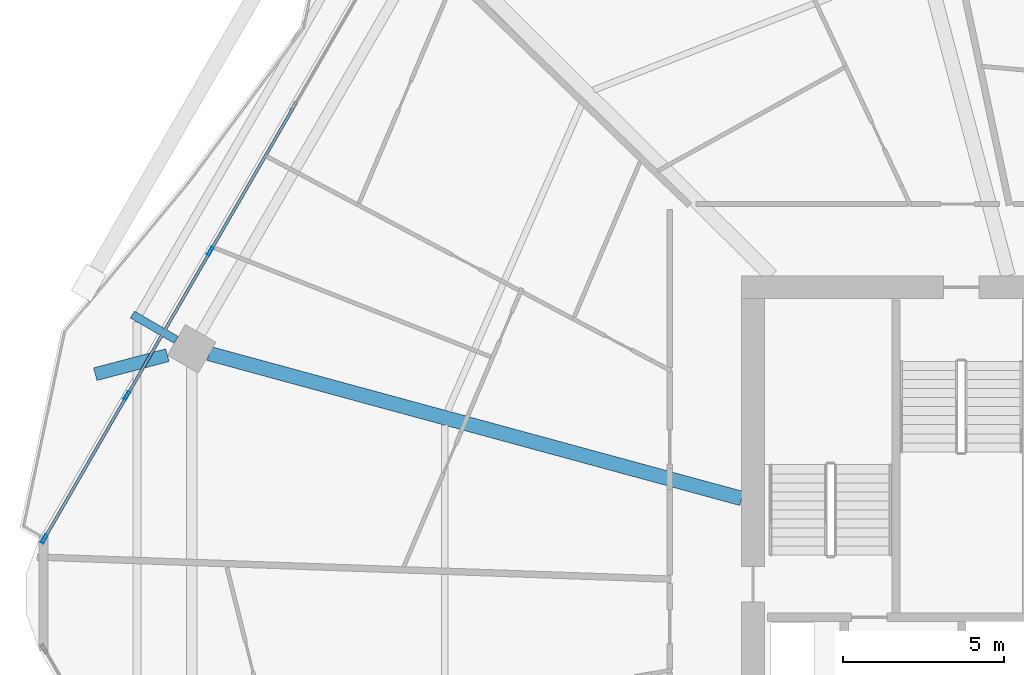
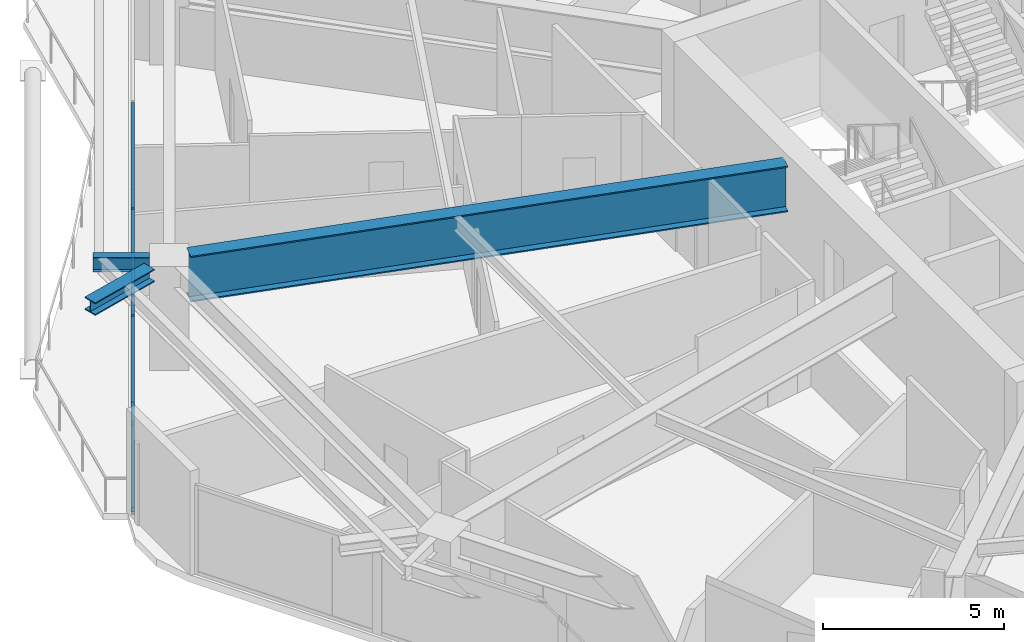
# One storey, part 14 of 33: 9 members, 3 beams, 1 element without a shape of its own.
"""IFC4 building model written with IfcOpenShell, lengths in metres."""

from ifc_helpers import new_model, si_unit, direction, frame, origin, origin_2d, place, context, subcontext, project, spatial, hollow_rectangle, i_section, extrude, material, material_profile, profile_set, type_object, element, aggregate, save


model = new_model("IFC4")

# Units and contexts
model_context = context("Model", 3, precision=1e-05, world=origin(), true_north=direction((0.0, 1.0)))
body_context = subcontext(model_context, "Body", "Model", "MODEL_VIEW")
ifc_project = project(units=[si_unit("LENGTHUNIT", "METRE"), si_unit("AREAUNIT", "SQUARE_METRE"), si_unit("VOLUMEUNIT", "CUBIC_METRE"), si_unit("PLANEANGLEUNIT", "RADIAN"), si_unit("MASSUNIT", "GRAM", prefix="KILO")], contexts=[model_context])

# Site, building, storey
site_placement = place(None, origin())
site = spatial("IfcSite", under=ifc_project, at=site_placement, CompositionType="ELEMENT")
building_placement = place(site_placement, origin())
building = spatial("IfcBuilding", under=site, at=building_placement, Name="Zuhravey Tower", CompositionType="ELEMENT")
storey_placement = place(building_placement, frame((0.0, 0.0, 141.800048828125)))
storey = spatial("IfcBuildingStorey", under=building, at=storey_placement, Name="L35", CompositionType="ELEMENT", Elevation=141.800048828125)

# Curtain wall, members
ifc_material_1 = material(Name="Thermally broken anodised aluminium", Category="aluminium")
curtain_wall_type = type_object("IfcCurtainWallType", Name="Zone 1-2 Residential Curtain Wall CW3", PredefinedType="NOTDEFINED", material=ifc_material_1)
curtain_wall_placement = place(storey_placement, origin())
curtain_wall = element("IfcCurtainWall", 1, at=curtain_wall_placement, inside=storey, type_object=curtain_wall_type, Name="L35 CW3 CW-L35-F3-1", PredefinedType="NOTDEFINED")
ifc_material_2 = material(Name="Anodised aluminium", Category="aluminium")
ifc_material_profile_1 = material_profile(ifc_material_2, hollow_rectangle(XDim=0.090087890625, YDim=0.284912109375, WallThickness=0.0048828125, at=origin_2d()), Name="ALU-RHS-90x285x5")
ifc_profile_set_1 = profile_set([ifc_material_profile_1], Name="Anodised aluminium")
member_type_1 = type_object("IfcMemberType", Name="Curtain-Wall Mullion 90x180", PredefinedType="MULLION", material=ifc_profile_set_1)
member_1_placement = place(storey_placement, frame((3.5439453125, 33.701416015625, 0.0), z_axis=(0.0, 0.0, 1.0), x_axis=(-0.866025507745, 0.499999819935, 0.0)))
member_1 = element("IfcMember", 2, at=member_1_placement, type_object=member_type_1, Name="CW3 mullion 1", PredefinedType="MULLION", context=body_context, shape_type="SweptSolid", body=[
    extrude(hollow_rectangle(XDim=0.090087890625, YDim=0.284912109375, WallThickness=0.0048828125, at=origin_2d()), origin(), (0.0, 0.0, 1.0), 3.02001953125),
])
member_2_placement = place(storey_placement, frame((6.10546875, 38.13818359375, 0.0), z_axis=(0.0, 0.0, 1.0), x_axis=(-0.866025507745, 0.499999819935, 0.0)))
member_2 = element("IfcMember", 3, at=member_2_placement, type_object=member_type_1, Name="CW3 mullion 2", PredefinedType="MULLION", context=body_context, shape_type="SweptSolid", body=[
    extrude(hollow_rectangle(XDim=0.090087890625, YDim=0.284912109375, WallThickness=0.0048828125, at=origin_2d()), origin(), (0.0, 0.0, 1.0), 3.02001953125),
])
member_3_placement = place(storey_placement, frame((8.689697265625, 42.614013671875, 0.0), z_axis=(0.0, 0.0, 1.0), x_axis=(-0.866025507745, 0.499999819935, 0.0)))
member_3 = element("IfcMember", 4, at=member_3_placement, type_object=member_type_1, Name="CW3 mullion 3", PredefinedType="MULLION", context=body_context, shape_type="SweptSolid", body=[
    extrude(hollow_rectangle(XDim=0.090087890625, YDim=0.284912109375, WallThickness=0.0048828125, at=origin_2d()), origin(), (0.0, 0.0, 1.0), 3.02001953125),
])
ifc_material_profile_2 = material_profile(ifc_material_2, hollow_rectangle(XDim=0.090087890625, YDim=0.14990234375, WallThickness=0.0048828125, at=origin_2d()), Name="ALU-RHS-90x150x5")
ifc_profile_set_2 = profile_set([ifc_material_profile_2], Name="Anodised aluminium")
member_type_2 = type_object("IfcMemberType", Name="Curtain-Wall Transom 90x150", PredefinedType="USERDEFINED", material=ifc_profile_set_2)
member_4_placement = place(storey_placement, frame((3.56640625, 33.740478515625, 0.044921875), z_axis=(0.499999574138, 0.866025649656, 0.0), x_axis=(-0.866025649656, 0.499999574138, 0.0)))
member_4 = element("IfcMember", 5, at=member_4_placement, type_object=member_type_2, Name="CW3 transom 1.1", ObjectType="TRANSOM", PredefinedType="USERDEFINED", context=body_context, shape_type="SweptSolid", body=[
    extrude(hollow_rectangle(XDim=0.090087890625, YDim=0.14990234375, WallThickness=0.0048828125, at=origin_2d()), origin(), (0.0, 0.0, 1.0), 5.033203125),
])
member_5_placement = place(storey_placement, frame((3.56640625, 33.740478515625, 2.974853515625), z_axis=(0.499999574138, 0.866025649656, 0.0), x_axis=(-0.866025649656, 0.499999574138, 0.0)))
member_5 = element("IfcMember", 6, at=member_5_placement, type_object=member_type_2, Name="CW3 transom 1.2", ObjectType="TRANSOM", PredefinedType="USERDEFINED", context=body_context, shape_type="SweptSolid", body=[
    extrude(hollow_rectangle(XDim=0.090087890625, YDim=0.14990234375, WallThickness=0.0048828125, at=origin_2d()), origin(), (0.0, 0.0, 1.0), 5.033203125),
])
member_6_placement = place(storey_placement, frame((6.128173828125, 38.17724609375, 0.044921875), z_axis=(0.500006836656, 0.866021456604, 0.0), x_axis=(-0.866021456604, 0.500006836656, 0.0)))
member_6 = element("IfcMember", 7, at=member_6_placement, type_object=member_type_2, Name="CW3 transom 2.1", ObjectType="TRANSOM", PredefinedType="USERDEFINED", context=body_context, shape_type="SweptSolid", body=[
    extrude(hollow_rectangle(XDim=0.090087890625, YDim=0.14990234375, WallThickness=0.0048828125, at=origin_2d()), origin(), (0.0, 0.0, 1.0), 5.078125),
])
member_7_placement = place(storey_placement, frame((6.128173828125, 38.17724609375, 2.974853515625), z_axis=(0.500006836656, 0.866021456604, 0.0), x_axis=(-0.866021456604, 0.500006836656, 0.0)))
member_7 = element("IfcMember", 8, at=member_7_placement, type_object=member_type_2, Name="CW3 transom 2.2", ObjectType="TRANSOM", PredefinedType="USERDEFINED", context=body_context, shape_type="SweptSolid", body=[
    extrude(hollow_rectangle(XDim=0.090087890625, YDim=0.14990234375, WallThickness=0.0048828125, at=origin_2d()), origin(), (0.0, 0.0, 1.0), 5.078125),
])
member_8_placement = place(storey_placement, frame((8.712158203125, 42.653076171875, 0.044921875), z_axis=(0.500006836656, 0.866021456604, 0.0), x_axis=(-0.866021456604, 0.500006836656, 0.0)))
member_8 = element("IfcMember", 9, at=member_8_placement, type_object=member_type_2, Name="CW3 transom 3.1", ObjectType="TRANSOM", PredefinedType="USERDEFINED", context=body_context, shape_type="SweptSolid", body=[
    extrude(hollow_rectangle(XDim=0.090087890625, YDim=0.14990234375, WallThickness=0.0048828125, at=origin_2d()), origin(), (0.0, 0.0, 1.0), 5.078125),
])
member_9_placement = place(storey_placement, frame((8.712158203125, 42.653076171875, 2.974853515625), z_axis=(0.500006836656, 0.866021456604, 0.0), x_axis=(-0.866021456604, 0.500006836656, 0.0)))
member_9 = element("IfcMember", 10, at=member_9_placement, type_object=member_type_2, Name="CW3 transom 3.2", ObjectType="TRANSOM", PredefinedType="USERDEFINED", context=body_context, shape_type="SweptSolid", body=[
    extrude(hollow_rectangle(XDim=0.090087890625, YDim=0.14990234375, WallThickness=0.0048828125, at=origin_2d()), origin(), (0.0, 0.0, 1.0), 5.078125),
])
aggregate(curtain_wall, [member_1, member_2, member_3, member_4, member_5, member_6, member_7, member_8, member_9])

# Beams
ifc_material_3 = material(Name="Steel SM460", Category="steel")
ifc_material_profile_3 = material_profile(ifc_material_3, i_section(OverallWidth=0.406982421875, OverallDepth=0.427978515625, WebThickness=0.02001953125, FlangeThickness=0.034912109375, at=origin_2d()), Name="H-428x407x20x35")
ifc_profile_set_3 = profile_set([ifc_material_profile_3], Name="Steel SM460")
beam_type_1 = type_object("IfcBeamType", Name="Exoskeleton Node Tie Beam H428x407", PredefinedType="BEAM", material=ifc_profile_set_3)
beam_1_placement = place(storey_placement, frame((7.358154296875, 39.3935546875, 3.305908203125), z_axis=(-0.967059479468, -0.254550512023, 0.0), x_axis=(0.254550512023, -0.967059479468, 0.0)))
element("IfcBeam", 11, at=beam_1_placement, inside=storey, type_object=beam_type_1, Name="L35 Exoskeleton Node Tie NT1-06", PredefinedType="BEAM", context=body_context, shape_type="SweptSolid", body=[
    extrude(i_section(OverallWidth=0.406982421875, OverallDepth=0.427978515625, WebThickness=0.02001953125, FlangeThickness=0.034912109375, at=origin_2d()), origin(), (0.0, 0.0, 1.0), 2.310546875),
])
ifc_material_profile_4 = material_profile(ifc_material_3, i_section(OverallWidth=0.449951171875, OverallDepth=1.550048828125, WebThickness=0.02587890625, FlangeThickness=0.0419921875, at=origin_2d()), Name="H-1550x450x26x42")
ifc_profile_set_4 = profile_set([ifc_material_profile_4], Name="Steel SM460")
beam_type_2 = type_object("IfcBeamType", Name="Heavy Setback Transfer Girder H1550x450", PredefinedType="BEAM", material=ifc_profile_set_4)
beam_2_placement = place(storey_placement, frame((25.14697265625, 34.954345703125, 2.744873046875), z_axis=(-0.964893166225, 0.262642680791, 0.0), x_axis=(-0.262642680791, -0.964893166225, 0.0)))
element("IfcBeam", 12, at=beam_2_placement, inside=storey, type_object=beam_type_2, Name="L35 TG3 BM-L35-RAD-06", PredefinedType="BEAM", context=body_context, shape_type="SweptSolid", body=[
    extrude(i_section(OverallWidth=0.449951171875, OverallDepth=1.550048828125, WebThickness=0.02587890625, FlangeThickness=0.0419921875, at=origin_2d()), origin(), (0.0, 0.0, 1.0), 17.102783203125),
])
ifc_material_4 = material(Name="Steel SM355", Category="steel")
ifc_material_profile_5 = material_profile(ifc_material_4, i_section(OverallWidth=0.25, OverallDepth=0.5, WebThickness=0.010009765625, FlangeThickness=0.01611328125, at=origin_2d()), Name="H-500x250x10x16")
ifc_profile_set_5 = profile_set([ifc_material_profile_5], Name="Steel SM355")
beam_type_3 = type_object("IfcBeamType", Name="Tray Cantilever Spandrel H500x250", PredefinedType="SPANDREL", material=ifc_profile_set_5)
beam_3_placement = place(storey_placement, frame((7.631103515625, 39.86865234375, 3.27001953125), z_axis=(-0.86603760523, 0.499978865881, 0.0), x_axis=(-0.499978865881, -0.86603760523, 0.0)))
element("IfcBeam", 13, at=beam_3_placement, inside=storey, type_object=beam_type_3, Name="L35 Sky-Tray Cantilever Arm TSB1-R06", PredefinedType="SPANDREL", context=body_context, shape_type="SweptSolid", body=[
    extrude(i_section(OverallWidth=0.25, OverallDepth=0.5, WebThickness=0.010009765625, FlangeThickness=0.01611328125, at=origin_2d()), origin(), (0.0, 0.0, 1.0), 1.56591796875),
])

save(model, "model.ifc")
